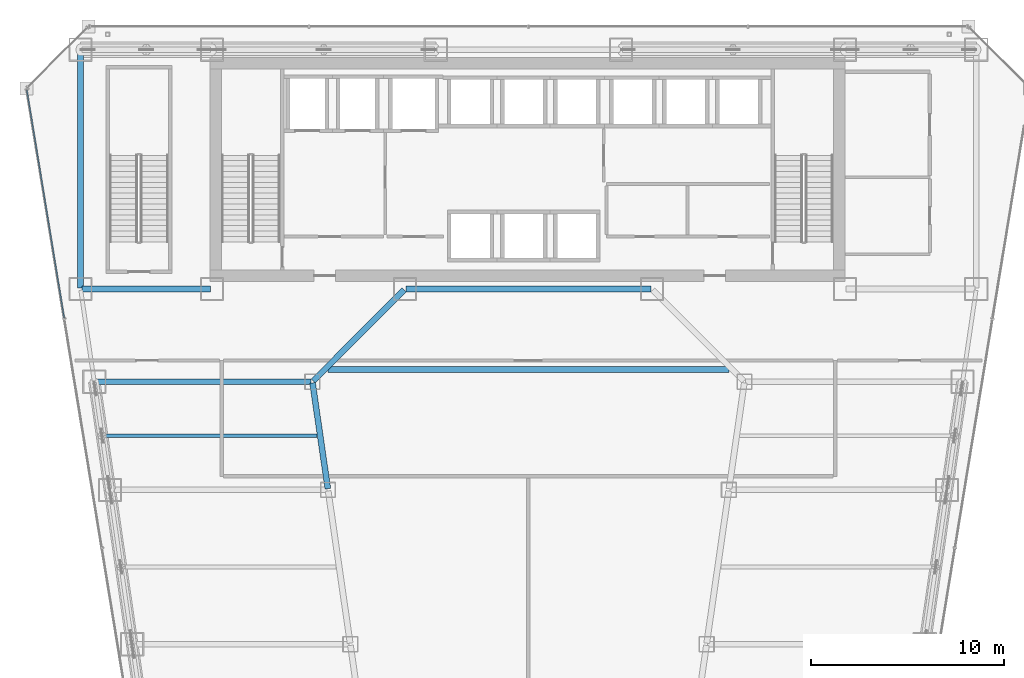
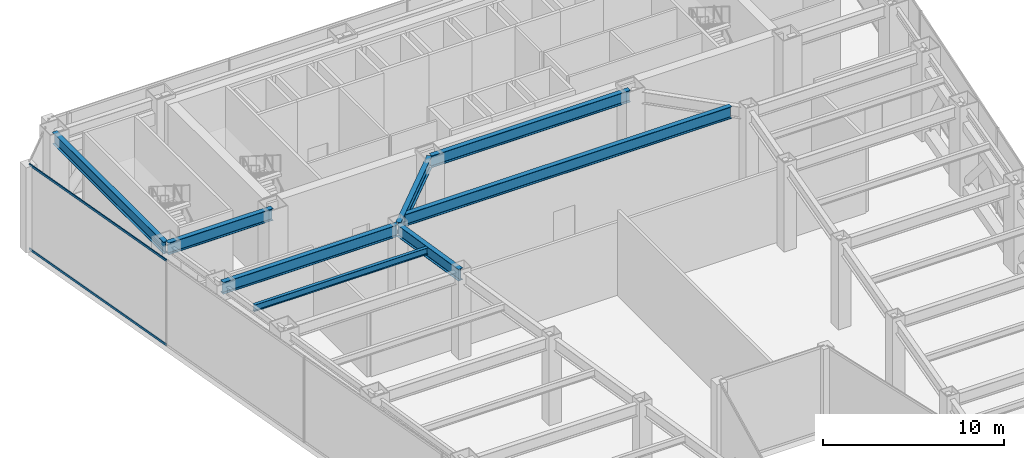
# One storey, part 19 of 35: 8 beams, 2 members, 1 element without a shape of its own.
"""IFC4 building model written with IfcOpenShell, lengths in metres."""

from ifc_helpers import new_model, si_unit, direction, frame, origin, origin_2d, place, context, subcontext, project, spatial, hollow_rectangle, i_section, extrude, material, material_profile, profile_set, type_object, element, aggregate, save


model = new_model("IFC4")

# Units and contexts
model_context = context("Model", 3, precision=1e-05, world=origin(), true_north=direction((0.0, 1.0)))
body_context = subcontext(model_context, "Body", "Model", "MODEL_VIEW")
ifc_project = project(units=[si_unit("LENGTHUNIT", "METRE"), si_unit("AREAUNIT", "SQUARE_METRE"), si_unit("VOLUMEUNIT", "CUBIC_METRE"), si_unit("PLANEANGLEUNIT", "RADIAN"), si_unit("MASSUNIT", "GRAM", prefix="KILO")], contexts=[model_context])

# Site, building, storey
site_placement = place(None, origin())
site = spatial("IfcSite", under=ifc_project, at=site_placement, CompositionType="ELEMENT")
building_placement = place(site_placement, origin())
building = spatial("IfcBuilding", under=site, at=building_placement, Name="Saevonmaru Cultural Tower", CompositionType="ELEMENT")
storey_placement = place(building_placement, frame((0.0, 0.0, 86.800048828125)))
storey = spatial("IfcBuildingStorey", under=building, at=storey_placement, Name="L18", CompositionType="ELEMENT", Elevation=86.800048828125)

# Beams
ifc_material_1 = material(Name="Steel SM420", Category="steel")
ifc_material_profile_1 = material_profile(ifc_material_1, i_section(OverallWidth=0.300048828125, OverallDepth=0.800048828125, WebThickness=0.013916015625, FlangeThickness=0.02587890625, FilletRadius=0.028076171875, at=origin_2d()), Name="H-800x300x14x26")
ifc_profile_set_1 = profile_set([ifc_material_profile_1], Name="Steel SM420")
beam_type_1 = type_object("IfcBeamType", Name="BM-G-H800", PredefinedType="BEAM", material=ifc_profile_set_1)
beam_1_placement = place(storey_placement, frame((6.860107421875, 42.39990234375, 5.349853515625), z_axis=(1.0, 0.0, 0.0), x_axis=(0.0, 1.0, 0.0)))
element("IfcBeam", 1, at=beam_1_placement, inside=storey, type_object=beam_type_1, Name="L18 Core South Girder 1", PredefinedType="BEAM", context=body_context, shape_type="SweptSolid", body=[
    extrude(i_section(OverallWidth=0.300048828125, OverallDepth=0.800048828125, WebThickness=0.013916015625, FlangeThickness=0.02587890625, FilletRadius=0.028076171875, at=origin_2d()), origin(), (0.0, 0.0, 1.0), 6.679931640625),
])
beam_2_placement = place(storey_placement, frame((23.659912109375, 42.39990234375, 5.349853515625), z_axis=(1.0, 0.0, 0.0), x_axis=(0.0, 1.0, 0.0)))
element("IfcBeam", 2, at=beam_2_placement, inside=storey, type_object=beam_type_1, Name="L18 Core South Girder 3", PredefinedType="BEAM", context=body_context, shape_type="SweptSolid", body=[
    extrude(i_section(OverallWidth=0.300048828125, OverallDepth=0.800048828125, WebThickness=0.013916015625, FlangeThickness=0.02587890625, FilletRadius=0.028076171875, at=origin_2d()), origin(), (0.0, 0.0, 1.0), 12.68017578125),
])
beam_3_placement = place(storey_placement, frame((6.800048828125, 54.739990234375, 5.349853515625), z_axis=(0.0, -1.0, 0.0), x_axis=(1.0, 0.0, 0.0)))
element("IfcBeam", 3, at=beam_3_placement, inside=storey, type_object=beam_type_1, Name="L18 Spine Transverse Girder W", PredefinedType="BEAM", context=body_context, shape_type="SweptSolid", body=[
    extrude(i_section(OverallWidth=0.300048828125, OverallDepth=0.800048828125, WebThickness=0.013916015625, FlangeThickness=0.02587890625, FilletRadius=0.028076171875, at=origin_2d()), origin(), (0.0, 0.0, 1.0), 12.280029296875),
])
beam_4_placement = place(storey_placement, frame((19.6083984375, 32.059326171875, 5.349853515625), z_axis=(-0.142964121327, 0.989727871697, 0.0), x_axis=(-0.989727871697, -0.142964121327, 0.0)))
element("IfcBeam", 4, at=beam_4_placement, inside=storey, type_object=beam_type_1, Name="L18 West Atrium Girder 5", PredefinedType="BEAM", context=body_context, shape_type="SweptSolid", body=[
    extrude(i_section(OverallWidth=0.300048828125, OverallDepth=0.800048828125, WebThickness=0.013916015625, FlangeThickness=0.02587890625, FilletRadius=0.028076171875, at=origin_2d()), origin(), (0.0, 0.0, 1.0), 5.5380859375),
])
beam_5_placement = place(storey_placement, frame((18.850341796875, 37.642578125, 5.349853515625), z_axis=(0.706538566564, 0.707674539572, 0.0), x_axis=(-0.707674539572, 0.706538566564, 0.0)))
element("IfcBeam", 5, at=beam_5_placement, inside=storey, type_object=beam_type_1, Name="L18 West Atrium Girder 6", PredefinedType="BEAM", context=body_context, shape_type="SweptSolid", body=[
    extrude(i_section(OverallWidth=0.300048828125, OverallDepth=0.800048828125, WebThickness=0.013916015625, FlangeThickness=0.02587890625, FilletRadius=0.028076171875, at=origin_2d()), origin(), (0.0, 0.0, 1.0), 6.662353515625),
])
beam_6_placement = place(storey_placement, frame((7.568115234375, 37.60009765625, 5.349853515625), z_axis=(1.0, 0.0, 0.0), x_axis=(0.0, 1.0, 0.0)))
element("IfcBeam", 6, at=beam_6_placement, inside=storey, type_object=beam_type_1, Name="L18 West Wing Transverse Girder 6", PredefinedType="BEAM", context=body_context, shape_type="SweptSolid", body=[
    extrude(i_section(OverallWidth=0.300048828125, OverallDepth=0.800048828125, WebThickness=0.013916015625, FlangeThickness=0.02587890625, FilletRadius=0.028076171875, at=origin_2d()), origin(), (0.0, 0.0, 1.0), 11.179931640625),
])
beam_7_placement = place(storey_placement, frame((19.60498046875, 38.239990234375, 5.349853515625), z_axis=(1.0, 0.0, 0.0), x_axis=(0.0, 1.0, 0.0)))
element("IfcBeam", 7, at=beam_7_placement, inside=storey, type_object=beam_type_1, Name="L18 Central Link Girder", PredefinedType="BEAM", context=body_context, shape_type="SweptSolid", body=[
    extrude(i_section(OverallWidth=0.300048828125, OverallDepth=0.800048828125, WebThickness=0.013916015625, FlangeThickness=0.02587890625, FilletRadius=0.028076171875, at=origin_2d()), origin(), (0.0, 0.0, 1.0), 20.7900390625),
])
ifc_material_2 = material(Name="Steel SM355", Category="steel")
ifc_material_profile_2 = material_profile(ifc_material_2, i_section(OverallWidth=0.199951171875, OverallDepth=0.449951171875, WebThickness=0.009033203125, FlangeThickness=0.013916015625, FilletRadius=0.01806640625, at=origin_2d()), Name="H-450x200x9x14")
ifc_profile_set_2 = profile_set([ifc_material_profile_2], Name="Steel SM355")
beam_type_2 = type_object("IfcBeamType", Name="BM-J-H450", PredefinedType="JOIST", material=ifc_profile_set_2)
beam_8_placement = place(storey_placement, frame((7.972412109375, 34.800048828125, 5.52490234375), z_axis=(1.0, 0.0, 0.0), x_axis=(0.0, 1.0, 0.0)))
element("IfcBeam", 8, at=beam_8_placement, inside=storey, type_object=beam_type_2, Name="L18 West Wing Floor Joist 5", PredefinedType="JOIST", context=body_context, shape_type="SweptSolid", body=[
    extrude(i_section(OverallWidth=0.199951171875, OverallDepth=0.449951171875, WebThickness=0.009033203125, FlangeThickness=0.013916015625, FilletRadius=0.01806640625, at=origin_2d()), origin(), (0.0, 0.0, 1.0), 11.08203125),
])

# Curtain wall, members
ifc_material_3 = material(Name="Satin Bronze Anodised Aluminium", Category="aluminium")
curtain_wall_type = type_object("IfcCurtainWallType", Name="CW-TYP-A", PredefinedType="NOTDEFINED", material=ifc_material_3)
curtain_wall_placement = place(storey_placement, origin())
curtain_wall = element("IfcCurtainWall", 9, at=curtain_wall_placement, inside=storey, type_object=curtain_wall_type, Name="L18 Wind-Floor Acoustic Louvre Screen E12", PredefinedType="NOTDEFINED")
ifc_material_profile_3 = material_profile(ifc_material_3, hollow_rectangle(XDim=0.06494140625, YDim=0.14990234375, WallThickness=0.00390625, at=origin_2d()), Name="ALU-TRAN-150x65x4")
ifc_profile_set_3 = profile_set([ifc_material_profile_3], Name="Satin Bronze Anodised Aluminium")
member_type = type_object("IfcMemberType", Name="TR-CW-150x65", PredefinedType="USERDEFINED", material=ifc_profile_set_3)
member_1_placement = place(storey_placement, frame((4.014892578125, 52.708740234375, 0.032470703125), z_axis=(0.161724530373, -0.986835941925, 0.0), x_axis=(0.986835941925, 0.161724530373, 0.0)))
member_1 = element("IfcMember", 10, at=member_1_placement, type_object=member_type, Name="CW-TW-L18-E12 transom 1.1", ObjectType="TRANSOM", PredefinedType="USERDEFINED", context=body_context, shape_type="SweptSolid", body=[
    extrude(hollow_rectangle(XDim=0.06494140625, YDim=0.14990234375, WallThickness=0.00390625, at=origin_2d()), origin(), (0.0, 0.0, 1.0), 11.963623046875),
])
member_2_placement = place(storey_placement, frame((4.014892578125, 52.708740234375, 5.717529296875), z_axis=(0.161724530373, -0.986835941925, 0.0), x_axis=(0.986835941925, 0.161724530373, 0.0)))
member_2 = element("IfcMember", 11, at=member_2_placement, type_object=member_type, Name="CW-TW-L18-E12 transom 1.2", ObjectType="TRANSOM", PredefinedType="USERDEFINED", context=body_context, shape_type="SweptSolid", body=[
    extrude(hollow_rectangle(XDim=0.06494140625, YDim=0.14990234375, WallThickness=0.00390625, at=origin_2d()), origin(), (0.0, 0.0, 1.0), 11.963623046875),
])
aggregate(curtain_wall, [member_1, member_2])

save(model, "model.ifc")
